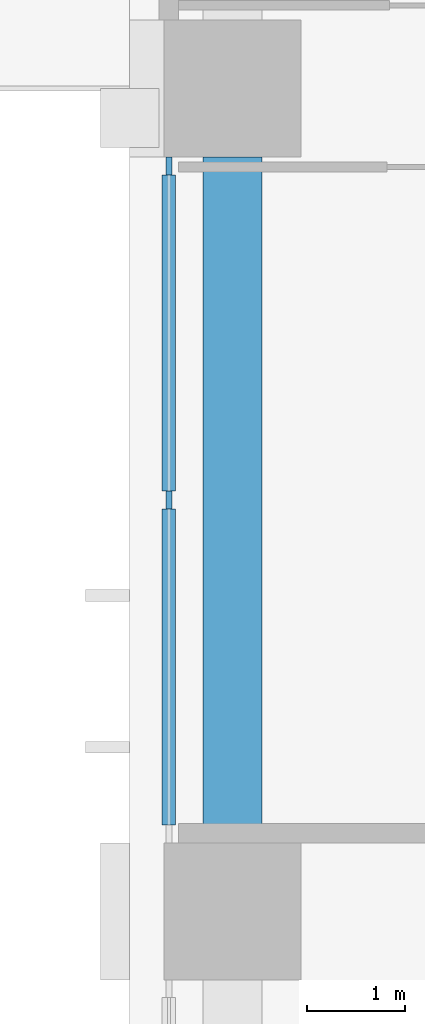
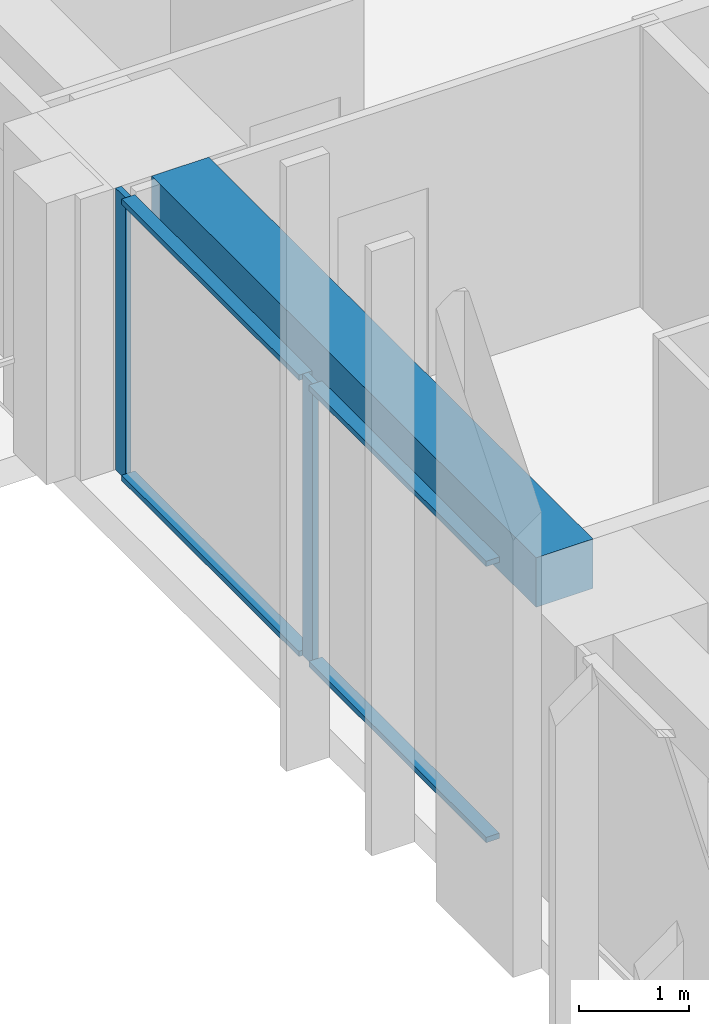
# One storey, part 3 of 17: 6 members, 1 beam, 1 element without a shape of its own.
"""IFC4 building model written with IfcOpenShell, lengths in metres."""

from ifc_helpers import new_model, si_unit, direction, frame, origin, origin_2d, place, context, subcontext, project, spatial, rectangle, extrude, material, material_profile, profile_set, type_object, element, aggregate, save


model = new_model("IFC4")

# Units and contexts
model_context = context("Model", 3, precision=1e-05, world=origin(), true_north=direction((0.0, 1.0)))
body_context = subcontext(model_context, "Body", "Model", "MODEL_VIEW")
ifc_project = project(units=[si_unit("LENGTHUNIT", "METRE"), si_unit("AREAUNIT", "SQUARE_METRE"), si_unit("VOLUMEUNIT", "CUBIC_METRE"), si_unit("PLANEANGLEUNIT", "RADIAN"), si_unit("MASSUNIT", "GRAM", prefix="KILO")], contexts=[model_context])

# Site, building, storey
site_placement = place(None, origin())
site = spatial("IfcSite", under=ifc_project, at=site_placement, CompositionType="ELEMENT")
building_placement = place(site_placement, origin())
building = spatial("IfcBuilding", under=site, at=building_placement, Name="Vermilion Ogive Tower", CompositionType="ELEMENT")
storey_placement = place(building_placement, frame((0.0, 0.0, 69.0)))
storey = spatial("IfcBuildingStorey", under=building, at=storey_placement, Name="L16", CompositionType="ELEMENT", Elevation=69.0)

# Curtain wall, members
ifc_material_1 = material(Name="Low-iron laminated glazing in aluminium frame", Category="aluminium")
curtain_wall_type = type_object("IfcCurtainWallType", Name="Curtain wall CW7", PredefinedType="NOTDEFINED", material=ifc_material_1)
curtain_wall_placement = place(storey_placement, origin())
curtain_wall = element("IfcCurtainWall", 1, at=curtain_wall_placement, inside=storey, type_object=curtain_wall_type, Name="Glazed skin W2", PredefinedType="NOTDEFINED")
ifc_material_2 = material(Name="Aluminium mullion", Category="aluminium")
ifc_material_profile_1 = material_profile(ifc_material_2, rectangle(XDim=0.06005859375, YDim=0.179931640625, at=origin_2d()), Name="AL 60x180")
ifc_profile_set_1 = profile_set([ifc_material_profile_1], Name="Aluminium mullion")
member_type_1 = type_object("IfcMemberType", Name="CW7 mullion 60x180", PredefinedType="MULLION", material=ifc_profile_set_1)
member_1_placement = place(storey_placement, frame((-25.85009765625, 3.409912109375, 0.0), z_axis=(0.0, 0.0, 1.0), x_axis=(1.0, 0.0, 0.0)))
member_1 = element("IfcMember", 2, at=member_1_placement, type_object=member_type_1, Name="CW7-W2 mullion 1", PredefinedType="MULLION", context=body_context, shape_type="SweptSolid", body=[
    extrude(rectangle(XDim=0.06005859375, YDim=0.179931640625, at=origin_2d()), origin(), (0.0, 0.0, 1.0), 3.1298828125),
])
member_2_placement = place(storey_placement, frame((-25.85009765625, 0.0, 0.0), z_axis=(0.0, 0.0, 1.0), x_axis=(1.0, 0.0, 0.0)))
member_2 = element("IfcMember", 3, at=member_2_placement, type_object=member_type_1, Name="CW7-W2 mullion 2", PredefinedType="MULLION", context=body_context, shape_type="SweptSolid", body=[
    extrude(rectangle(XDim=0.06005859375, YDim=0.179931640625, at=origin_2d()), origin(), (0.0, 0.0, 1.0), 3.1298828125),
])
ifc_material_3 = material(Name="Aluminium transom", Category="aluminium")
ifc_material_profile_2 = material_profile(ifc_material_3, rectangle(XDim=0.139892578125, YDim=0.06005859375, at=origin_2d()), Name="AL 60x140")
ifc_profile_set_2 = profile_set([ifc_material_profile_2], Name="Aluminium transom")
member_type_2 = type_object("IfcMemberType", Name="CW7 transom 60x140", PredefinedType="USERDEFINED", material=ifc_profile_set_2)
member_3_placement = place(storey_placement, frame((-25.85009765625, 3.320068359375, 0.030029296875), z_axis=(0.0, -1.0, 0.0), x_axis=(1.0, 0.0, 0.0)))
member_3 = element("IfcMember", 4, at=member_3_placement, type_object=member_type_2, Name="CW7-W2 transom 1.1", ObjectType="TRANSOM", PredefinedType="USERDEFINED", context=body_context, shape_type="SweptSolid", body=[
    extrude(rectangle(XDim=0.139892578125, YDim=0.06005859375, at=origin_2d()), origin(), (0.0, 0.0, 1.0), 3.22998046875),
])
member_4_placement = place(storey_placement, frame((-25.85009765625, 3.320068359375, 3.10009765625), z_axis=(0.0, -1.0, 0.0), x_axis=(1.0, 0.0, 0.0)))
member_4 = element("IfcMember", 5, at=member_4_placement, type_object=member_type_2, Name="CW7-W2 transom 1.2", ObjectType="TRANSOM", PredefinedType="USERDEFINED", context=body_context, shape_type="SweptSolid", body=[
    extrude(rectangle(XDim=0.139892578125, YDim=0.06005859375, at=origin_2d()), origin(), (0.0, 0.0, 1.0), 3.22998046875),
])
member_5_placement = place(storey_placement, frame((-25.85009765625, -0.090087890625, 0.030029296875), z_axis=(0.0, -1.0, 0.0), x_axis=(1.0, 0.0, 0.0)))
member_5 = element("IfcMember", 6, at=member_5_placement, type_object=member_type_2, Name="CW7-W2 transom 2.1", ObjectType="TRANSOM", PredefinedType="USERDEFINED", context=body_context, shape_type="SweptSolid", body=[
    extrude(rectangle(XDim=0.139892578125, YDim=0.06005859375, at=origin_2d()), origin(), (0.0, 0.0, 1.0), 3.22998046875),
])
member_6_placement = place(storey_placement, frame((-25.85009765625, -0.090087890625, 3.10009765625), z_axis=(0.0, -1.0, 0.0), x_axis=(1.0, 0.0, 0.0)))
member_6 = element("IfcMember", 7, at=member_6_placement, type_object=member_type_2, Name="CW7-W2 transom 2.2", ObjectType="TRANSOM", PredefinedType="USERDEFINED", context=body_context, shape_type="SweptSolid", body=[
    extrude(rectangle(XDim=0.139892578125, YDim=0.06005859375, at=origin_2d()), origin(), (0.0, 0.0, 1.0), 3.22998046875),
])
aggregate(curtain_wall, [member_1, member_2, member_3, member_4, member_5, member_6])

# Beam
ifc_material_4 = material(Name="Concrete B45", Category="concrete")
ifc_material_profile_3 = material_profile(ifc_material_4, rectangle(XDim=0.60009765625, YDim=0.550048828125, at=origin_2d()), Name="600 x 550")
ifc_profile_set_3 = profile_set([ifc_material_profile_3], Name="Concrete B45")
beam_type = type_object("IfcBeamType", Name="Edge beam 600 x 550 B45", PredefinedType="BEAM", material=ifc_profile_set_3)
beam_placement = place(storey_placement, frame((-25.199951171875, 3.5, 2.85498046875), z_axis=(0.0, -1.0, 0.0), x_axis=(1.0, 0.0, 0.0)))
element("IfcBeam", 8, at=beam_placement, inside=storey, type_object=beam_type, Name="L16-EB-15", PredefinedType="BEAM", context=body_context, shape_type="SweptSolid", body=[
    extrude(rectangle(XDim=0.60009765625, YDim=0.550048828125, at=origin_2d()), origin(), (0.0, 0.0, 1.0), 7.0),
])

save(model, "model.ifc")
